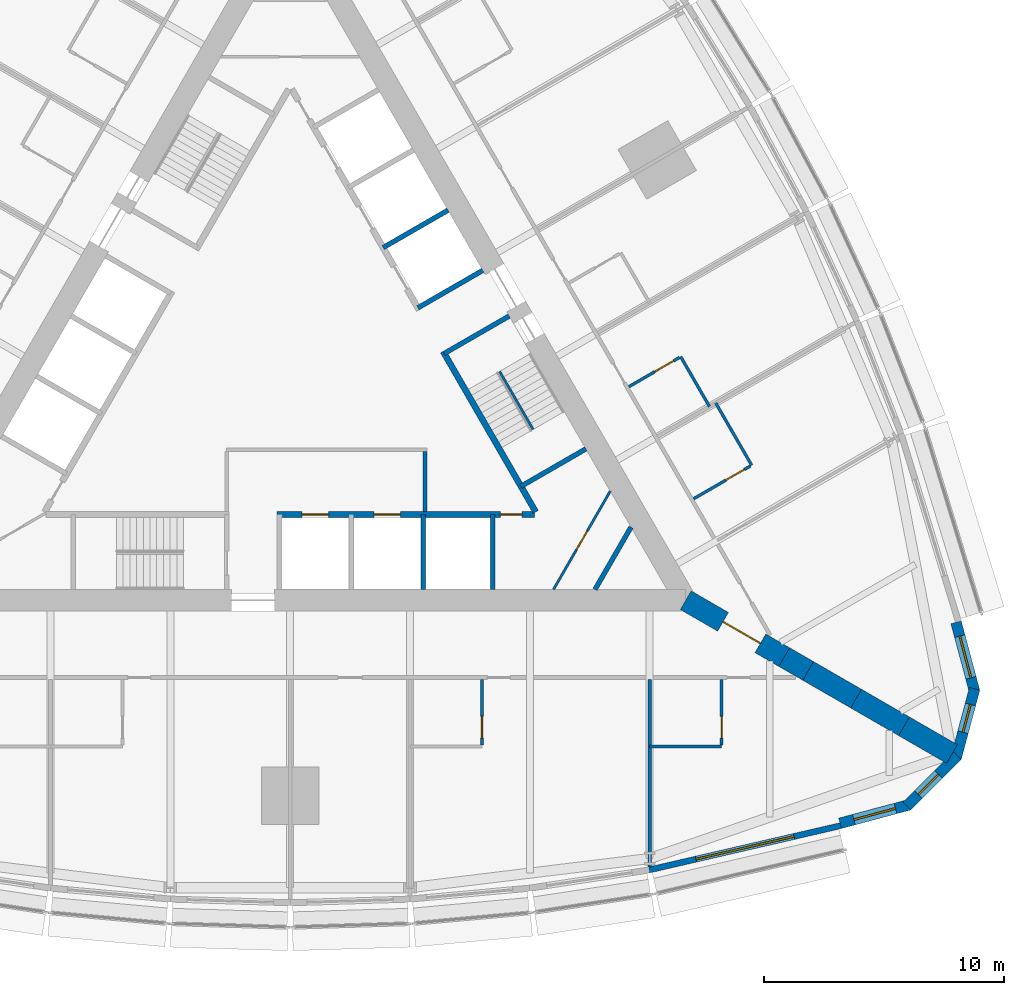
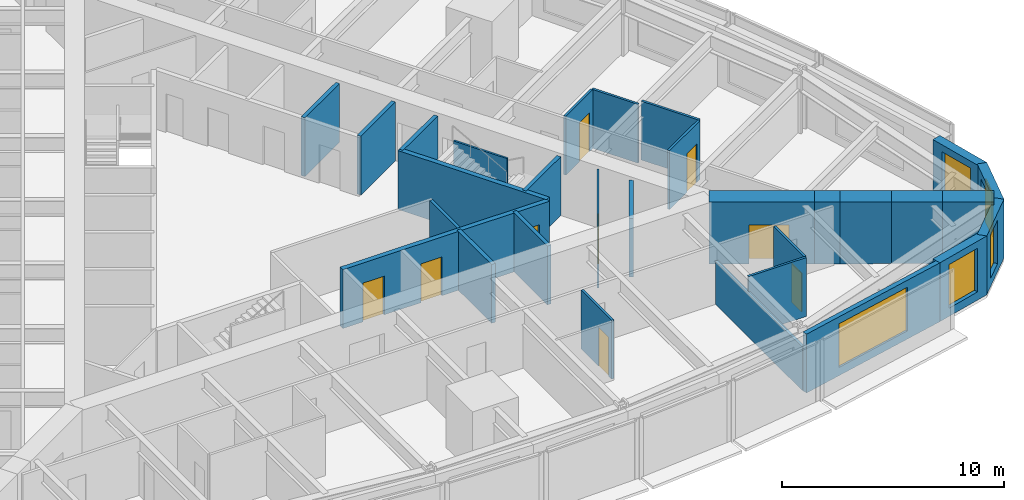
# One storey, part 10 of 14: 30 walls, 9 doors, 5 windows, 14 openings.
"""IFC4 building model written with IfcOpenShell, lengths in metres."""

from ifc_helpers import new_model, si_unit, direction, frame, frame_2d, origin, place, context, subcontext, project, spatial, polyline, rectangle, outline, extrude, material, layer, layer_set, type_object, element, fill, save


model = new_model("IFC4")

# Units and contexts
model_context = context("Model", 3, precision=1e-05, world=origin(), true_north=direction((0.0, 1.0)))
body_context = subcontext(model_context, "Body", "Model", "MODEL_VIEW")
ifc_project = project(units=[si_unit("LENGTHUNIT", "METRE"), si_unit("AREAUNIT", "SQUARE_METRE"), si_unit("VOLUMEUNIT", "CUBIC_METRE"), si_unit("PLANEANGLEUNIT", "RADIAN"), si_unit("MASSUNIT", "GRAM", prefix="KILO")], contexts=[model_context])

# Site, building, storey
site_placement = place(None, origin())
site = spatial("IfcSite", under=ifc_project, at=site_placement, CompositionType="ELEMENT")
building_placement = place(site_placement, origin())
building = spatial("IfcBuilding", under=site, at=building_placement, Name="Trikona Tower", CompositionType="ELEMENT")
storey_placement = place(building_placement, frame((0.0, 0.0, 55.699951171875)))
storey = spatial("IfcBuildingStorey", under=building, at=storey_placement, Name="L13", CompositionType="ELEMENT", Elevation=55.699951171875)

# Wall, opening, door
ifc_material_1 = material(Name="Metal stud and cement board", Category="gypsum")
ifc_layer_1 = layer(ifc_material_1, 0.1201171875)
ifc_layer_set_1 = layer_set([ifc_layer_1], Name="Bathroom wall 120")
wall_type_1 = type_object("IfcWallType", Name="Bathroom wall 120", PredefinedType="PLUMBINGWALL", material=ifc_layer_set_1)
wall_1_placement = place(storey_placement, frame((8.0, -12.826416015625, 0.0), z_axis=(0.0, 0.0, 1.0), x_axis=(0.0, -1.0, 0.0)))
wall_1 = element("IfcWall", 1, at=wall_1_placement, inside=storey, type_object=wall_type_1, Name="Bathroom wall 1303", PredefinedType="PLUMBINGWALL", context=body_context, shape_type="SweptSolid", body=[
    extrude(rectangle(XDim=2.739990234375, YDim=0.1201171875, at=frame_2d((1.3701171875, 0.0))), origin(), (0.0, 0.0, 1.0), 3.235107421875),
])
opening_1_placement = place(wall_1_placement, frame((1.550048828125, 0.0, 0.0)))
opening_1 = element("IfcOpeningElement", 2, at=opening_1_placement, cuts=wall_1, Name="Opening D2", PredefinedType="OPENING", context=body_context, shape_type="SweptSolid", body=[
    extrude(rectangle(XDim=0.89990234375, YDim=2.1298828125, at=frame_2d((0.449951171875, 1.06494140625))), frame((0.0, 0.070068359375, 0.0), z_axis=(0.0, -1.0, 0.0), x_axis=(1.0, 0.0, 0.0)), (0.0, 0.0, 1.0), 0.14013671875),
])
ifc_material_2 = material(Name="Steel door frame with solid-core timber leaf", Category="steel")
door_type_1 = type_object("IfcDoorType", Name="Bathroom door 900x2130", OperationType="SLIDING_TO_LEFT", PredefinedType="DOOR", material=ifc_material_2)
door_1_placement = place(opening_1_placement, origin())
door_1 = element("IfcDoor", 3, at=door_1_placement, inside=storey, type_object=door_type_1, Name="Bathroom door 1303", OperationType="SLIDING_TO_LEFT", OverallHeight=2.1298828125, OverallWidth=0.89990234375, PredefinedType="DOOR", context=body_context, shape_type="SweptSolid", body=[
    extrude(rectangle(XDim=0.89990234375, YDim=2.1298828125, at=frame_2d((0.449951171875, 1.06494140625))), frame((0.0, 0.02490234375, 0.0), z_axis=(0.0, -1.0, 0.0), x_axis=(1.0, 0.0, 0.0)), (0.0, 0.0, 1.0), 0.050048828125),
])
fill(opening_1, door_1)

# Wall
wall_2_placement = place(storey_placement, frame((15.0, -15.626220703125, 0.0), z_axis=(0.0, 0.0, 1.0), x_axis=(1.0, 0.0, 0.0)))
element("IfcWall", 4, at=wall_2_placement, inside=storey, type_object=wall_type_1, Name="Bathroom wall 1304", PredefinedType="PLUMBINGWALL", context=body_context, shape_type="SweptSolid", body=[
    extrude(rectangle(XDim=3.0, YDim=0.1201171875, at=frame_2d((1.5, 0.0))), origin(), (0.0, 0.0, 1.0), 3.235107421875),
])

# Wall, opening, door
wall_3_placement = place(storey_placement, frame((18.0, -12.826416015625, 0.0), z_axis=(0.0, 0.0, 1.0), x_axis=(0.0, -1.0, 0.0)))
wall_3 = element("IfcWall", 5, at=wall_3_placement, inside=storey, type_object=wall_type_1, Name="Bathroom wall 1304", PredefinedType="PLUMBINGWALL", context=body_context, shape_type="SweptSolid", body=[
    extrude(rectangle(XDim=2.739990234375, YDim=0.1201171875, at=frame_2d((1.3701171875, 0.0))), origin(), (0.0, 0.0, 1.0), 3.235107421875),
])
opening_2_placement = place(wall_3_placement, frame((1.550048828125, 0.0, 0.0)))
opening_2 = element("IfcOpeningElement", 6, at=opening_2_placement, cuts=wall_3, Name="Opening D2", PredefinedType="OPENING", context=body_context, shape_type="SweptSolid", body=[
    extrude(rectangle(XDim=0.89990234375, YDim=2.1298828125, at=frame_2d((0.449951171875, 1.06494140625))), frame((0.0, 0.070068359375, 0.0), z_axis=(0.0, -1.0, 0.0), x_axis=(1.0, 0.0, 0.0)), (0.0, 0.0, 1.0), 0.14013671875),
])
door_2_placement = place(opening_2_placement, origin())
door_2 = element("IfcDoor", 7, at=door_2_placement, inside=storey, type_object=door_type_1, Name="Bathroom door 1304", OperationType="SLIDING_TO_LEFT", OverallHeight=2.1298828125, OverallWidth=0.89990234375, PredefinedType="DOOR", context=body_context, shape_type="SweptSolid", body=[
    extrude(rectangle(XDim=0.89990234375, YDim=2.1298828125, at=frame_2d((0.449951171875, 1.06494140625))), frame((0.0, 0.02490234375, 0.0), z_axis=(0.0, -1.0, 0.0), x_axis=(1.0, 0.0, 0.0)), (0.0, 0.0, 1.0), 0.050048828125),
])
fill(opening_2, door_2)

# Wall
wall_4_placement = place(storey_placement, frame((19.25341796875, -3.895263671875, 0.0), z_axis=(0.0, 0.0, 1.0), x_axis=(-0.499990139034, 0.866031096941, 0.0)))
element("IfcWall", 8, at=wall_4_placement, inside=storey, type_object=wall_type_1, Name="Bathroom wall 1305.1", PredefinedType="PLUMBINGWALL", context=body_context, shape_type="SweptSolid", body=[
    extrude(rectangle(XDim=3.0, YDim=0.1201171875, at=frame_2d((1.5, 0.0))), origin(), (0.0, 0.0, 1.0), 3.235107421875),
])

# Wall, opening, door
wall_5_placement = place(storey_placement, frame((16.82861328125, -5.295166015625, 0.0), z_axis=(0.0, 0.0, 1.0), x_axis=(0.866035715982, 0.499982138324, 0.0)))
wall_5 = element("IfcWall", 9, at=wall_5_placement, inside=storey, type_object=wall_type_1, Name="Bathroom wall 1305.1", PredefinedType="PLUMBINGWALL", context=body_context, shape_type="SweptSolid", body=[
    extrude(rectangle(XDim=2.73974609375, YDim=0.1201171875, at=frame_2d((1.369873046875, 0.0))), origin(), (0.0, 0.0, 1.0), 3.235107421875),
])
opening_3_placement = place(wall_5_placement, frame((1.550048828125, 0.0, 0.0)))
opening_3 = element("IfcOpeningElement", 10, at=opening_3_placement, cuts=wall_5, Name="Opening D2", PredefinedType="OPENING", context=body_context, shape_type="SweptSolid", body=[
    extrude(rectangle(XDim=0.89990234375, YDim=2.1298828125, at=frame_2d((0.449951171875, 1.06494140625))), frame((0.0, 0.070068359375, 0.0), z_axis=(0.0, -1.0, 0.0), x_axis=(1.0, 0.0, 0.0)), (0.0, 0.0, 1.0), 0.14013671875),
])
door_3_placement = place(opening_3_placement, origin())
door_3 = element("IfcDoor", 11, at=door_3_placement, inside=storey, type_object=door_type_1, Name="Bathroom door 1305.1", OperationType="SLIDING_TO_LEFT", OverallHeight=2.1298828125, OverallWidth=0.89990234375, PredefinedType="DOOR", context=body_context, shape_type="SweptSolid", body=[
    extrude(rectangle(XDim=0.89990234375, YDim=2.1298828125, at=frame_2d((0.449951171875, 1.06494140625))), frame((0.0, 0.02490234375, 0.0), z_axis=(0.0, -1.0, 0.0), x_axis=(1.0, 0.0, 0.0)), (0.0, 0.0, 1.0), 0.050048828125),
])
fill(opening_3, door_3)

# Wall
wall_6_placement = place(storey_placement, frame((17.493408203125, -1.447021484375, 0.0), z_axis=(0.0, 0.0, 1.0), x_axis=(-0.500001309137, 0.866024647952, 0.0)))
element("IfcWall", 12, at=wall_6_placement, inside=storey, type_object=wall_type_1, Name="Bathroom wall 1306", PredefinedType="PLUMBINGWALL", context=body_context, shape_type="SweptSolid", body=[
    extrude(rectangle(XDim=2.39990234375, YDim=0.1201171875, at=frame_2d((1.199951171875, 0.0))), origin(), (0.0, 0.0, 1.0), 3.235107421875),
])

# Wall, opening, door
wall_7_placement = place(storey_placement, frame((14.12841796875, -0.61865234375, 0.0), z_axis=(0.0, 0.0, 1.0), x_axis=(0.866048967903, 0.499959183527, 0.0)))
wall_7 = element("IfcWall", 13, at=wall_7_placement, inside=storey, type_object=wall_type_1, Name="Bathroom wall 1306", PredefinedType="PLUMBINGWALL", context=body_context, shape_type="SweptSolid", body=[
    extrude(rectangle(XDim=2.440185546875, YDim=0.1201171875, at=frame_2d((1.22021484375, 0.0))), origin(), (0.0, 0.0, 1.0), 3.235107421875),
])
opening_4_placement = place(wall_7_placement, frame((1.25, 0.0, 0.0)))
opening_4 = element("IfcOpeningElement", 14, at=opening_4_placement, cuts=wall_7, Name="Opening D2", PredefinedType="OPENING", context=body_context, shape_type="SweptSolid", body=[
    extrude(rectangle(XDim=0.89990234375, YDim=2.1298828125, at=frame_2d((0.449951171875, 1.06494140625))), frame((0.0, 0.070068359375, 0.0), z_axis=(0.0, -1.0, 0.0), x_axis=(1.0, 0.0, 0.0)), (0.0, 0.0, 1.0), 0.14013671875),
])
door_4_placement = place(opening_4_placement, origin())
door_4 = element("IfcDoor", 15, at=door_4_placement, inside=storey, type_object=door_type_1, Name="Bathroom door 1306", OperationType="SLIDING_TO_LEFT", OverallHeight=2.1298828125, OverallWidth=0.89990234375, PredefinedType="DOOR", context=body_context, shape_type="SweptSolid", body=[
    extrude(rectangle(XDim=0.89990234375, YDim=2.1298828125, at=frame_2d((0.449951171875, 1.06494140625))), frame((0.0, 0.02490234375, 0.0), z_axis=(0.0, -1.0, 0.0), x_axis=(1.0, 0.0, 0.0)), (0.0, 0.0, 1.0), 0.050048828125),
])
fill(opening_4, door_4)

# Wall, opening, window
ifc_material_3 = material(Name="Brick-faced precast concrete", Category="masonry")
ifc_layer_2 = layer(ifc_material_3, 0.449951171875)
ifc_layer_set_2 = layer_set([ifc_layer_2], Name="Brick-faced corner wall 450")
wall_type_2 = type_object("IfcWallType", Name="Brick-faced corner wall 450", PredefinedType="SOLIDWALL", material=ifc_layer_set_2)
wall_8_placement = place(storey_placement, frame((22.94189453125, -18.835205078125, 0.0), z_axis=(0.0, 0.0, 1.0), x_axis=(0.965930548995, 0.258801419081, 0.0)))
wall_8 = element("IfcWall", 16, at=wall_8_placement, inside=storey, type_object=wall_type_2, Name="External wall L13-08", PredefinedType="SOLIDWALL", context=body_context, shape_type="SweptSolid", body=[
    extrude(rectangle(XDim=2.988525390625, YDim=0.449951171875, at=frame_2d((1.494140625, 0.0))), origin(), (0.0, 0.0, 1.0), 3.235107421875),
])
opening_5_placement = place(wall_8_placement, frame((0.59423828125, 0.0, 0.449951171875)))
opening_5 = element("IfcOpeningElement", 17, at=opening_5_placement, cuts=wall_8, Name="Opening W1824", PredefinedType="OPENING", context=body_context, shape_type="SweptSolid", body=[
    extrude(rectangle(XDim=1.800048828125, YDim=2.39990234375, at=frame_2d((0.89990234375, 1.199951171875))), frame((0.0, 0.23486328125, 0.0), z_axis=(0.0, -1.0, 0.0), x_axis=(1.0, 0.0, 0.0)), (0.0, 0.0, 1.0), 0.469970703125),
])
ifc_material_4 = material(Name="Aluminium-framed double glazing", Category="aluminium")
window_type_1 = type_object("IfcWindowType", Name="Window 1800x2400", PartitioningType="SINGLE_PANEL", PredefinedType="WINDOW", material=ifc_material_4)
window_1_placement = place(opening_5_placement, origin())
window_1 = element("IfcWindow", 18, at=window_1_placement, inside=storey, type_object=window_type_1, Name="Window 1304", OverallHeight=2.39990234375, OverallWidth=1.800048828125, PartitioningType="SINGLE_PANEL", PredefinedType="WINDOW", context=body_context, shape_type="SweptSolid", body=[
    extrude(rectangle(XDim=1.800048828125, YDim=2.39990234375, at=frame_2d((0.89990234375, 1.199951171875))), frame((0.0, 0.030029296875, 0.0), z_axis=(0.0, -1.0, 0.0), x_axis=(1.0, 0.0, 0.0)), (0.0, 0.0, 1.0), 0.06005859375),
])
fill(opening_5, window_1)

wall_9_placement = place(storey_placement, frame((25.727783203125, -18.1201171875, 0.0), z_axis=(0.0, 0.0, 1.0), x_axis=(0.707025086683, 0.707188466253, 0.0)))
wall_9 = element("IfcWall", 19, at=wall_9_placement, inside=storey, type_object=wall_type_2, Name="External wall L13-09", PredefinedType="SOLIDWALL", context=body_context, shape_type="SweptSolid", body=[
    extrude(outline(polyline([(2.988525390625, 0.22509765625), (2.929931640625, 0.22509765625), (2.4375, 0.093017578125), (2.402099609375, 0.22509765625), (0.0, 0.22509765625), (0.0, -0.22509765625), (2.988525390625, -0.22509765625), (2.988525390625, 0.22509765625)])), origin(), (0.0, 0.0, 1.0), 3.235107421875),
])
opening_6_placement = place(wall_9_placement, frame((0.676025390625, 0.0, 0.449951171875)))
opening_6 = element("IfcOpeningElement", 20, at=opening_6_placement, cuts=wall_9, Name="Opening W1224", PredefinedType="OPENING", context=body_context, shape_type="SweptSolid", body=[
    extrude(rectangle(XDim=1.199951171875, YDim=2.39990234375, at=frame_2d((0.60009765625, 1.199951171875))), frame((0.0, 0.23486328125, 0.0), z_axis=(0.0, -1.0, 0.0), x_axis=(1.0, 0.0, 0.0)), (0.0, 0.0, 1.0), 0.469970703125),
])
ifc_material_5 = material(Name="Aluminium-framed double glazing", Category="aluminium")
window_type_2 = type_object("IfcWindowType", Name="Window 1200x2400", PartitioningType="SINGLE_PANEL", PredefinedType="WINDOW", material=ifc_material_5)
window_2_placement = place(opening_6_placement, origin())
window_2 = element("IfcWindow", 21, at=window_2_placement, inside=storey, type_object=window_type_2, Name="Window 1304", OverallHeight=2.39990234375, OverallWidth=1.199951171875, PartitioningType="SINGLE_PANEL", PredefinedType="WINDOW", context=body_context, shape_type="SweptSolid", body=[
    extrude(rectangle(XDim=1.199951171875, YDim=2.39990234375, at=frame_2d((0.60009765625, 1.199951171875))), frame((0.0, 0.030029296875, 0.0), z_axis=(0.0, -1.0, 0.0), x_axis=(1.0, 0.0, 0.0)), (0.0, 0.0, 1.0), 0.06005859375),
])
fill(opening_6, window_2)

wall_10_placement = place(storey_placement, frame((27.78271484375, -16.107666015625, 0.0), z_axis=(0.0, 0.0, 1.0), x_axis=(0.258801419081, 0.965930548995, 0.0)))
wall_10 = element("IfcWall", 22, at=wall_10_placement, inside=storey, type_object=wall_type_2, Name="External wall L13-10", PredefinedType="SOLIDWALL", context=body_context, shape_type="SweptSolid", body=[
    extrude(outline(polyline([(2.988525390625, 0.22509765625), (0.58642578125, 0.22509765625), (0.55126953125, 0.09326171875), (0.0595703125, 0.22509765625), (0.0, 0.22509765625), (0.0, -0.22509765625), (2.988525390625, -0.22509765625), (2.988525390625, 0.22509765625)])), origin(), (0.0, 0.0, 1.0), 3.235107421875),
])
opening_7_placement = place(wall_10_placement, frame((1.112548828125, 0.0, 0.449951171875)))
opening_7 = element("IfcOpeningElement", 23, at=opening_7_placement, cuts=wall_10, Name="Opening W1224", PredefinedType="OPENING", context=body_context, shape_type="SweptSolid", body=[
    extrude(rectangle(XDim=1.199951171875, YDim=2.39990234375, at=frame_2d((0.60009765625, 1.199951171875))), frame((0.0, 0.23486328125, 0.0), z_axis=(0.0, -1.0, 0.0), x_axis=(1.0, 0.0, 0.0)), (0.0, 0.0, 1.0), 0.469970703125),
])
window_3_placement = place(opening_7_placement, origin())
window_3 = element("IfcWindow", 24, at=window_3_placement, inside=storey, type_object=window_type_2, Name="Window 1305", OverallHeight=2.39990234375, OverallWidth=1.199951171875, PartitioningType="SINGLE_PANEL", PredefinedType="WINDOW", context=body_context, shape_type="SweptSolid", body=[
    extrude(rectangle(XDim=1.199951171875, YDim=2.39990234375, at=frame_2d((0.60009765625, 1.199951171875))), frame((0.0, 0.030029296875, 0.0), z_axis=(0.0, -1.0, 0.0), x_axis=(1.0, 0.0, 0.0)), (0.0, 0.0, 1.0), 0.06005859375),
])
fill(opening_7, window_3)

wall_11_placement = place(storey_placement, frame((28.55615234375, -13.33740234375, 0.0), z_axis=(0.0, 0.0, 1.0), x_axis=(-0.258780998834, 0.965936019953, 0.0)))
wall_11 = element("IfcWall", 25, at=wall_11_placement, inside=storey, type_object=wall_type_2, Name="External wall L13-11", PredefinedType="SOLIDWALL", context=body_context, shape_type="SweptSolid", body=[
    extrude(rectangle(XDim=2.98876953125, YDim=0.449951171875, at=frame_2d((1.494384765625, 0.0))), origin(), (0.0, 0.0, 1.0), 3.235107421875),
])
opening_8_placement = place(wall_11_placement, frame((0.59423828125, 0.0, 0.449951171875)))
opening_8 = element("IfcOpeningElement", 26, at=opening_8_placement, cuts=wall_11, Name="Opening W1824", PredefinedType="OPENING", context=body_context, shape_type="SweptSolid", body=[
    extrude(rectangle(XDim=1.800048828125, YDim=2.39990234375, at=frame_2d((0.89990234375, 1.199951171875))), frame((0.0, 0.23486328125, 0.0), z_axis=(0.0, -1.0, 0.0), x_axis=(1.0, 0.0, 0.0)), (0.0, 0.0, 1.0), 0.469970703125),
])
window_4_placement = place(opening_8_placement, origin())
window_4 = element("IfcWindow", 27, at=window_4_placement, inside=storey, type_object=window_type_1, Name="Window 1305", OverallHeight=2.39990234375, OverallWidth=1.800048828125, PartitioningType="SINGLE_PANEL", PredefinedType="WINDOW", context=body_context, shape_type="SweptSolid", body=[
    extrude(rectangle(XDim=1.800048828125, YDim=2.39990234375, at=frame_2d((0.89990234375, 1.199951171875))), frame((0.0, 0.030029296875, 0.0), z_axis=(0.0, -1.0, 0.0), x_axis=(1.0, 0.0, 0.0)), (0.0, 0.0, 1.0), 0.06005859375),
])
fill(opening_8, window_4)

# Wall, opening, door
ifc_material_6 = material(Name="Concrete f'c 10000 psi", Category="concrete")
ifc_layer_3 = layer(ifc_material_6, 0.89990234375)
ifc_layer_set_3 = layer_set([ifc_layer_3], Name="Buttress wall 900")
wall_type_3 = type_object("IfcWallType", Name="Buttress wall 900", PredefinedType="SHEAR", material=ifc_layer_set_3)
wall_12_placement = place(storey_placement, frame((16.5, -9.5263671875, 0.0), z_axis=(0.0, 0.0, 1.0), x_axis=(0.866031398331, -0.499989616998, 0.0)))
wall_12 = element("IfcWall", 28, at=wall_12_placement, inside=storey, type_object=wall_type_3, Name="Buttress wall 1", PredefinedType="SHEAR", context=body_context, shape_type="SweptSolid", body=[
    extrude(rectangle(XDim=4.74609375, YDim=0.89990234375, at=frame_2d((2.373046875, 0.0))), origin(), (0.0, 0.0, 1.0), 3.400146484375),
])
opening_9_placement = place(wall_12_placement, frame((1.800048828125, 0.0, 0.0)))
opening_9 = element("IfcOpeningElement", 29, at=opening_9_placement, cuts=wall_12, Name="Opening D10", PredefinedType="OPENING", context=body_context, shape_type="SweptSolid", body=[
    extrude(rectangle(XDim=1.800048828125, YDim=2.1298828125, at=frame_2d((0.89990234375, 1.06494140625))), frame((0.0, 0.4599609375, 0.0), z_axis=(0.0, -1.0, 0.0), x_axis=(1.0, 0.0, 0.0)), (0.0, 0.0, 1.0), 0.919921875),
])
ifc_material_7 = material(Name="Hollow metal door and frame", Category="steel")
door_type_2 = type_object("IfcDoorType", Name="Cross-corridor door pair 1800x2130", OperationType="DOUBLE_DOOR_DOUBLE_SWING", PredefinedType="DOOR", material=ifc_material_7)
door_5_placement = place(opening_9_placement, origin())
door_5 = element("IfcDoor", 30, at=door_5_placement, inside=storey, type_object=door_type_2, Name="Cross-corridor door 1", OperationType="DOUBLE_DOOR_DOUBLE_SWING", OverallHeight=2.1298828125, OverallWidth=1.800048828125, PredefinedType="DOOR", context=body_context, shape_type="SweptSolid", body=[
    extrude(rectangle(XDim=1.800048828125, YDim=2.1298828125, at=frame_2d((0.89990234375, 1.06494140625))), frame((0.0, 0.02490234375, 0.0), z_axis=(0.0, -1.0, 0.0), x_axis=(1.0, 0.0, 0.0)), (0.0, 0.0, 1.0), 0.050048828125),
])
fill(opening_9, door_5)

# Walls
wall_13_placement = place(storey_placement, frame((20.6103515625, -11.8994140625, 0.0), z_axis=(0.0, 0.0, 1.0), x_axis=(0.866009537788, -0.500027479704, 0.0)))
element("IfcWall", 31, at=wall_13_placement, inside=storey, type_object=wall_type_3, Name="Buttress wall 1 part 2", PredefinedType="SHEAR", context=body_context, shape_type="SweptSolid", body=[
    extrude(rectangle(XDim=1.15478515625, YDim=0.89990234375, at=frame_2d((0.577392578125, 0.0))), origin(), (0.0, 0.0, 1.0), 3.400146484375),
])
for number, where, z_axis, x_axis, name in (
    (32, (21.6103515625, -12.476806640625, 0.0), (0.0, 0.0, 1.0), (0.866055313784, -0.499948190782, 0.0), "Buttress wall 1 part 3"),
    (33, (23.6103515625, -13.63134765625, 0.0), (0.0, 0.0, 1.0), (0.866009537788, -0.500027479704, 0.0), "Buttress wall 1 part 4"),
    (34, (25.6103515625, -14.7861328125, 0.0), (0.0, 0.0, 1.0), (0.866009537788, -0.500027479704, 0.0), "Buttress wall 1 part 5"),
):
    element("IfcWall", number, at=place(storey_placement, frame(where, z_axis=z_axis, x_axis=x_axis)), inside=storey, type_object=wall_type_3, Name=name, PredefinedType="SHEAR", context=body_context, shape_type="SweptSolid", body=[
        extrude(rectangle(XDim=2.309326171875, YDim=0.89990234375, at=frame_2d((1.15478515625, 0.0))), origin(), (0.0, 0.0, 1.0), 3.400146484375),
    ])

# Wall, openings, doors
ifc_material_8 = material(Name="Concrete f'c 8000 psi", Category="concrete")
ifc_layer_4 = layer(ifc_material_8, 0.25)
ifc_layer_set_4 = layer_set([ifc_layer_4], Name="Hub wall 250")
wall_type_4 = type_object("IfcWallType", Name="Hub wall 250", PredefinedType="SOLIDWALL", material=ifc_layer_set_4)
wall_14_placement = place(storey_placement, frame((-0.550048828125, -5.951416015625, 0.0), z_axis=(0.0, 0.0, 1.0), x_axis=(1.0, 0.0, 0.0)))
wall_14 = element("IfcWall", 35, at=wall_14_placement, inside=storey, type_object=wall_type_4, Name="Lift lobby wall A2", PredefinedType="SOLIDWALL", context=body_context, shape_type="SweptSolid", body=[
    extrude(rectangle(XDim=10.73291015625, YDim=0.25, at=frame_2d((5.366455078125, 0.0))), origin(), (0.0, 0.0, 1.0), 3.235107421875),
])
opening_10_placement = place(wall_14_placement, frame((9.31396484375, 0.0, 0.0)))
opening_10 = element("IfcOpeningElement", 36, at=opening_10_placement, cuts=wall_14, Name="Opening D14", PredefinedType="OPENING", context=body_context, shape_type="SweptSolid", body=[
    extrude(rectangle(XDim=0.89990234375, YDim=2.1298828125, at=frame_2d((0.449951171875, 1.06494140625))), frame((0.0, 0.135009765625, 0.0), z_axis=(0.0, -1.0, 0.0), x_axis=(1.0, 0.0, 0.0)), (0.0, 0.0, 1.0), 0.27001953125),
])
opening_11_placement = place(wall_14_placement, frame((1.050048828125, 0.0, 0.0)))
opening_11 = element("IfcOpeningElement", 37, at=opening_11_placement, cuts=wall_14, Name="Opening LD", PredefinedType="OPENING", context=body_context, shape_type="SweptSolid", body=[
    extrude(rectangle(XDim=1.10009765625, YDim=2.1298828125, at=frame_2d((0.550048828125, 1.06494140625))), frame((0.0, 0.135009765625, 0.0), z_axis=(0.0, -1.0, 0.0), x_axis=(1.0, 0.0, 0.0)), (0.0, 0.0, 1.0), 0.27001953125),
])
opening_12_placement = place(wall_14_placement, frame((4.050048828125, 0.0, 0.0)))
opening_12 = element("IfcOpeningElement", 38, at=opening_12_placement, cuts=wall_14, Name="Opening LD", PredefinedType="OPENING", context=body_context, shape_type="SweptSolid", body=[
    extrude(rectangle(XDim=1.10009765625, YDim=2.1298828125, at=frame_2d((0.550048828125, 1.06494140625))), frame((0.0, 0.135009765625, 0.0), z_axis=(0.0, -1.0, 0.0), x_axis=(1.0, 0.0, 0.0)), (0.0, 0.0, 1.0), 0.27001953125),
])
ifc_material_9 = material(Name="Stainless steel lift landing door", Category="steel")
door_type_3 = type_object("IfcDoorType", Name="Lift landing door 1100x2130", OperationType="DOUBLE_DOOR_SLIDING", PredefinedType="USERDEFINED", material=ifc_material_9)
door_6_placement = place(opening_11_placement, origin())
door_6 = element("IfcDoor", 39, at=door_6_placement, inside=storey, type_object=door_type_3, Name="Lift landing door FF1", ObjectType="LIFT LANDING DOOR", OperationType="DOUBLE_DOOR_SLIDING", OverallHeight=2.1298828125, OverallWidth=1.10009765625, PredefinedType="USERDEFINED", context=body_context, shape_type="SweptSolid", body=[
    extrude(rectangle(XDim=1.10009765625, YDim=2.1298828125, at=frame_2d((0.550048828125, 1.06494140625))), frame((0.0, 0.02490234375, 0.0), z_axis=(0.0, -1.0, 0.0), x_axis=(1.0, 0.0, 0.0)), (0.0, 0.0, 1.0), 0.050048828125),
])
fill(opening_11, door_6)
door_7_placement = place(opening_12_placement, origin())
door_7 = element("IfcDoor", 40, at=door_7_placement, inside=storey, type_object=door_type_3, Name="Lift landing door FF2", ObjectType="LIFT LANDING DOOR", OperationType="DOUBLE_DOOR_SLIDING", OverallHeight=2.1298828125, OverallWidth=1.10009765625, PredefinedType="USERDEFINED", context=body_context, shape_type="SweptSolid", body=[
    extrude(rectangle(XDim=1.10009765625, YDim=2.1298828125, at=frame_2d((0.550048828125, 1.06494140625))), frame((0.0, 0.02490234375, 0.0), z_axis=(0.0, -1.0, 0.0), x_axis=(1.0, 0.0, 0.0)), (0.0, 0.0, 1.0), 0.050048828125),
])
fill(opening_12, door_7)
ifc_material_10 = material(Name="Hollow metal door and frame", Category="steel")
door_type_4 = type_object("IfcDoorType", Name="Service room door 900x2130", OperationType="SINGLE_SWING_LEFT", PredefinedType="DOOR", material=ifc_material_10)
door_8_placement = place(opening_10_placement, origin())
door_8 = element("IfcDoor", 41, at=door_8_placement, inside=storey, type_object=door_type_4, Name="Door Ice and vending ICE", OperationType="SINGLE_SWING_RIGHT", OverallHeight=2.1298828125, OverallWidth=0.89990234375, PredefinedType="DOOR", context=body_context, shape_type="SweptSolid", body=[
    extrude(rectangle(XDim=0.89990234375, YDim=2.1298828125, at=frame_2d((0.449951171875, 1.06494140625))), frame((0.0, 0.02490234375, 0.0), z_axis=(0.0, -1.0, 0.0), x_axis=(1.0, 0.0, 0.0)), (0.0, 0.0, 1.0), 0.050048828125),
])
fill(opening_10, door_8)

# Wall
wall_15_placement = place(storey_placement, frame((10.245361328125, -5.843017578125, 0.0), z_axis=(0.0, 0.0, 1.0), x_axis=(-0.499993009313, 0.866029439822, 0.0)))
element("IfcWall", 42, at=wall_15_placement, inside=storey, type_object=wall_type_4, Name="Lift lobby wall B1", PredefinedType="SOLIDWALL", context=body_context, shape_type="SweptSolid", body=[
    extrude(rectangle(XDim=7.73291015625, YDim=0.25, at=frame_2d((3.866455078125, 0.0))), origin(), (0.0, 0.0, 1.0), 3.235107421875),
])

# Wall, opening, window
ifc_material_11 = material(Name="Insulated precast concrete spandrel panel", Category="concrete")
ifc_layer_5 = layer(ifc_material_11, 0.25)
ifc_layer_set_5 = layer_set([ifc_layer_5], Name="Inner skin wall 250")
wall_type_5 = type_object("IfcWallType", Name="Inner skin wall 250", PredefinedType="STANDARD", material=ifc_layer_set_5)
wall_16_placement = place(storey_placement, frame((14.9716796875, -20.78125, 0.0), z_axis=(0.0, 0.0, 1.0), x_axis=(0.974279327392, 0.225343720163, 0.0)))
wall_16 = element("IfcWall", 43, at=wall_16_placement, inside=storey, type_object=wall_type_5, Name="External wall L13-07", PredefinedType="STANDARD", context=body_context, shape_type="SweptSolid", body=[
    extrude(rectangle(XDim=8.211181640625, YDim=0.25, at=frame_2d((4.10546875, 0.0))), origin(), (0.0, 0.0, 1.0), 3.235107421875),
])
opening_13_placement = place(wall_16_placement, frame((2.005615234375, 0.0, 0.449951171875)))
opening_13 = element("IfcOpeningElement", 44, at=opening_13_placement, cuts=wall_16, Name="Opening W4224", PredefinedType="OPENING", context=body_context, shape_type="SweptSolid", body=[
    extrude(rectangle(XDim=4.199951171875, YDim=2.39990234375, at=frame_2d((2.10009765625, 1.199951171875))), frame((0.0, 0.135009765625, 0.0), z_axis=(0.0, -1.0, 0.0), x_axis=(1.0, 0.0, 0.0)), (0.0, 0.0, 1.0), 0.27001953125),
])
ifc_material_12 = material(Name="Aluminium-framed double glazing", Category="aluminium")
window_type_3 = type_object("IfcWindowType", Name="Window 4200x2400", PartitioningType="SINGLE_PANEL", PredefinedType="WINDOW", material=ifc_material_12)
window_5_placement = place(opening_13_placement, origin())
window_5 = element("IfcWindow", 45, at=window_5_placement, inside=storey, type_object=window_type_3, Name="Window 1304", OverallHeight=2.39990234375, OverallWidth=4.199951171875, PartitioningType="SINGLE_PANEL", PredefinedType="WINDOW", context=body_context, shape_type="SweptSolid", body=[
    extrude(rectangle(XDim=4.199951171875, YDim=2.39990234375, at=frame_2d((2.10009765625, 1.199951171875))), frame((0.0, 0.030029296875, 0.0), z_axis=(0.0, -1.0, 0.0), x_axis=(1.0, 0.0, 0.0)), (0.0, 0.0, 1.0), 0.06005859375),
])
fill(opening_13, window_5)

# Walls
ifc_material_13 = material(Name="Metal stud and gypsum board, 2-hour shaft wall", Category="gypsum")
ifc_layer_6 = layer(ifc_material_13, 0.14990234375)
ifc_layer_set_6 = layer_set([ifc_layer_6], Name="Lobby wall 150")
wall_type_6 = type_object("IfcWallType", Name="Lobby wall 150", PredefinedType="PARTITIONING", material=ifc_layer_set_6)
wall_17_placement = place(storey_placement, frame((5.625, -5.826416015625, 0.0), z_axis=(0.0, 0.0, 1.0), x_axis=(0.0, 1.0, 0.0)))
element("IfcWall", 46, at=wall_17_placement, inside=storey, type_object=wall_type_6, Name="Fire service lift lobby wall 3", PredefinedType="PARTITIONING", context=body_context, shape_type="SweptSolid", body=[
    extrude(rectangle(XDim=2.5, YDim=0.14990234375, at=frame_2d((1.25, 0.0))), origin(), (0.0, 0.0, 1.0), 3.235107421875),
])
ifc_material_14 = material(Name="Metal stud and gypsum board, 1-hour acoustic", Category="gypsum")
ifc_layer_7 = layer(ifc_material_14, 0.14990234375)
ifc_layer_set_7 = layer_set([ifc_layer_7], Name="Party wall 150")
wall_type_7 = type_object("IfcWallType", Name="Party wall 150", PredefinedType="PARTITIONING", material=ifc_layer_set_7)
wall_18_placement = place(storey_placement, frame((15.0, -12.826416015625, 0.0), z_axis=(0.0, 0.0, 1.0), x_axis=(0.0, -1.0, 0.0)))
element("IfcWall", 47, at=wall_18_placement, inside=storey, type_object=wall_type_7, Name="Partition L13 F1 u15", PredefinedType="PARTITIONING", context=body_context, shape_type="SweptSolid", body=[
    extrude(rectangle(XDim=7.820068359375, YDim=0.14990234375, at=frame_2d((3.91015625, 0.0))), origin(), (0.0, 0.0, 1.0), 2.38916015625),
])
ifc_material_15 = material(Name="Concrete f'c 8000 psi", Category="concrete")
ifc_layer_8 = layer(ifc_material_15, 0.199951171875)
ifc_layer_set_8 = layer_set([ifc_layer_8], Name="Shaft wall 200")
wall_type_8 = type_object("IfcWallType", Name="Shaft wall 200", PredefinedType="SOLIDWALL", material=ifc_layer_set_8)
for number, where, z_axis, x_axis, name in (
    (48, (5.550048828125, -5.951416015625, 0.0), (0.0, 0.0, 1.0), (0.0, -1.0, 0.0), "Shaft wall A5"),
    (49, (8.449951171875, -5.951416015625, 0.0), (0.0, 0.0, 1.0), (0.0, -1.0, 0.0), "Shaft wall A6"),
    (50, (5.3291015625, 2.672607421875, 0.0), (0.0, 0.0, 1.0), (0.866022959057, 0.500004234368, 0.0), "Shaft wall B3"),
    (51, (3.87890625, 5.18408203125, 0.0), (0.0, 0.0, 1.0), (0.866022959057, 0.500004234368, 0.0), "Shaft wall B4"),
):
    element("IfcWall", number, at=place(storey_placement, frame(where, z_axis=z_axis, x_axis=x_axis)), inside=storey, type_object=wall_type_8, Name=name, PredefinedType="SOLIDWALL", context=body_context, shape_type="SweptSolid", body=[
        extrude(rectangle(XDim=3.125, YDim=0.199951171875, at=frame_2d((1.5625, 0.0))), origin(), (0.0, 0.0, 1.0), 3.235107421875),
    ])
wall_19_placement = place(storey_placement, frame((14.219482421875, -6.476318359375, 0.0), z_axis=(0.0, 0.0, 1.0), x_axis=(-0.499952404951, -0.866052881055, 0.0)))
element("IfcWall", 52, at=wall_19_placement, inside=storey, type_object=wall_type_8, Name="Riser wall L13-RS1", PredefinedType="SOLIDWALL", context=body_context, shape_type="SweptSolid", body=[
    extrude(rectangle(XDim=3.002197265625, YDim=0.199951171875, at=frame_2d((1.5009765625, 0.0))), origin(), (0.0, 0.0, 1.0), 3.235107421875),
])
ifc_material_16 = material(Name="Concrete f'c 8000 psi", Category="concrete")
ifc_layer_9 = layer(ifc_material_16, 0.199951171875)
ifc_layer_set_9 = layer_set([ifc_layer_9], Name="Shaft wall 200 load-bearing")
wall_type_9 = type_object("IfcWallType", Name="Shaft wall 200 load-bearing", PredefinedType="SOLIDWALL", material=ifc_layer_set_9)
for number, where, z_axis, x_axis, name in (
    (53, (9.62890625, -4.775390625, 0.0), (0.0, 0.0, 1.0), (0.866022959057, 0.500004234368, 0.0), "Shaft wall B1"),
    (54, (6.428955078125, 0.767333984375, 0.0), (0.0, 0.0, 1.0), (0.866022959057, 0.500004234368, 0.0), "Shaft wall B2"),
):
    element("IfcWall", number, at=place(storey_placement, frame(where, z_axis=z_axis, x_axis=x_axis)), inside=storey, type_object=wall_type_9, Name=name, PredefinedType="SOLIDWALL", context=body_context, shape_type="SweptSolid", body=[
        extrude(rectangle(XDim=3.125, YDim=0.199951171875, at=frame_2d((1.5625, 0.0))), origin(), (0.0, 0.0, 1.0), 3.235107421875),
    ])
ifc_material_17 = material(Name="Concrete f'c 5000 psi", Category="concrete")
ifc_layer_10 = layer(ifc_material_17, 0.10009765625)
ifc_layer_set_10 = layer_set([ifc_layer_10], Name="Stair spine wall 100")
wall_type_10 = type_object("IfcWallType", Name="Stair spine wall 100", PredefinedType="SOLIDWALL", material=ifc_layer_set_10)
wall_20_placement = place(storey_placement, frame((10.134765625, -2.4013671875, 0.0), z_axis=(0.0, 0.0, 1.0), x_axis=(-0.499992232847, 0.866029888106, 0.0)))
element("IfcWall", 55, at=wall_20_placement, inside=storey, type_object=wall_type_10, Name="Stair B spine wall L13", PredefinedType="SOLIDWALL", context=body_context, shape_type="SweptSolid", body=[
    extrude(rectangle(XDim=2.7939453125, YDim=0.10009765625, at=frame_2d((1.39697265625, 0.0))), origin(), (0.0, 0.0, 1.0), 3.400146484375),
])

# Wall, opening, door
ifc_material_18 = material(Name="Metal stud and gypsum board, acoustic", Category="gypsum")
ifc_layer_11 = layer(ifc_material_18, 0.10009765625)
ifc_layer_set_11 = layer_set([ifc_layer_11], Name="Suite partition 100")
wall_type_11 = type_object("IfcWallType", Name="Suite partition 100", PredefinedType="PARTITIONING", material=ifc_layer_set_11)
wall_21_placement = place(storey_placement, frame((13.353515625, -4.976318359375, 0.0), z_axis=(0.0, 0.0, 1.0), x_axis=(-0.499999210213, -0.866025859768, 0.0)))
wall_21 = element("IfcWall", 56, at=wall_21_placement, inside=storey, type_object=wall_type_11, Name="Store partition L13-RS1", PredefinedType="PARTITIONING", context=body_context, shape_type="SweptSolid", body=[
    extrude(rectangle(XDim=4.734375, YDim=0.10009765625, at=frame_2d((2.3671875, 0.0))), origin(), (0.0, 0.0, 1.0), 3.235107421875),
])
opening_14_placement = place(wall_21_placement, frame((1.917236328125, 0.0, 0.0)))
opening_14 = element("IfcOpeningElement", 57, at=opening_14_placement, cuts=wall_21, Name="Opening D15", PredefinedType="OPENING", context=body_context, shape_type="SweptSolid", body=[
    extrude(rectangle(XDim=0.89990234375, YDim=2.1298828125, at=frame_2d((0.449951171875, 1.06494140625))), frame((0.0, 0.06005859375, 0.0), z_axis=(0.0, -1.0, 0.0), x_axis=(1.0, 0.0, 0.0)), (0.0, 0.0, 1.0), 0.1201171875),
])
ifc_material_19 = material(Name="Steel door frame with solid-core timber leaf", Category="steel")
door_type_5 = type_object("IfcDoorType", Name="Store door 900x2130", OperationType="SINGLE_SWING_LEFT", PredefinedType="DOOR", material=ifc_material_19)
door_9_placement = place(opening_14_placement, origin())
door_9 = element("IfcDoor", 58, at=door_9_placement, inside=storey, type_object=door_type_5, Name="Door Amenity store AMS", OperationType="SINGLE_SWING_RIGHT", OverallHeight=2.1298828125, OverallWidth=0.89990234375, PredefinedType="DOOR", context=body_context, shape_type="SweptSolid", body=[
    extrude(rectangle(XDim=0.89990234375, YDim=2.1298828125, at=frame_2d((0.449951171875, 1.06494140625))), frame((0.0, 0.02490234375, 0.0), z_axis=(0.0, -1.0, 0.0), x_axis=(1.0, 0.0, 0.0)), (0.0, 0.0, 1.0), 0.050048828125),
])
fill(opening_14, door_9)

save(model, "model.ifc")
